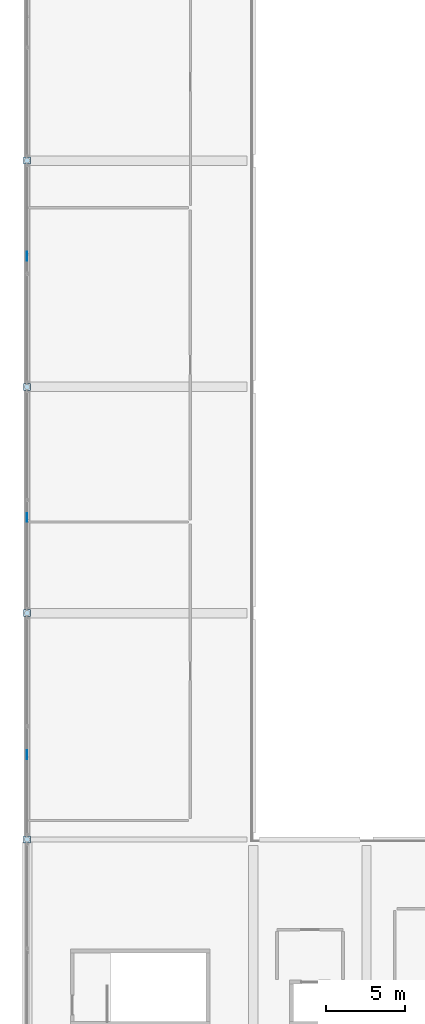
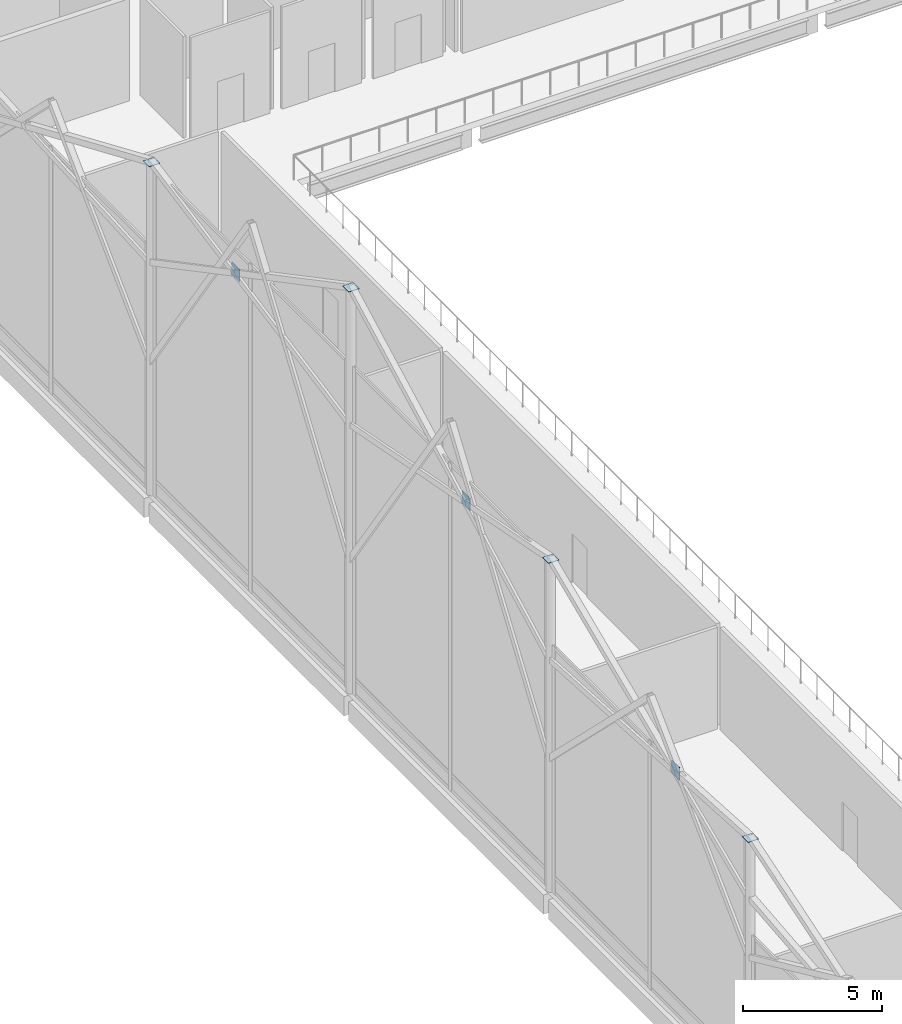
# One storey, part 140 of 220: 7 plates.
"""IFC4 building model written with IfcOpenShell, lengths in metres."""

from ifc_helpers import new_model, si_unit, direction, frame, origin, origin_2d, place, context, subcontext, project, spatial, rectangle, extrude, material, layer, layer_set, type_object, element, save


model = new_model("IFC4")

# Units and contexts
model_context = context("Model", 3, precision=1e-05, world=origin(), true_north=direction((0.0, 1.0)))
body_context = subcontext(model_context, "Body", "Model", "MODEL_VIEW")
ifc_project = project(units=[si_unit("LENGTHUNIT", "METRE"), si_unit("AREAUNIT", "SQUARE_METRE"), si_unit("VOLUMEUNIT", "CUBIC_METRE"), si_unit("PLANEANGLEUNIT", "RADIAN"), si_unit("MASSUNIT", "GRAM", prefix="KILO")], contexts=[model_context])

# Site, building, storey
site_placement = place(None, origin())
site = spatial("IfcSite", under=ifc_project, at=site_placement, CompositionType="ELEMENT")
building_placement = place(site_placement, origin())
building = spatial("IfcBuilding", under=site, at=building_placement, Name="Cendralis Lancet Convention Centre", CompositionType="ELEMENT")
storey_placement = place(building_placement, frame((0.0, 0.0, 5.39990234375)))
storey = spatial("IfcBuildingStorey", under=building, at=storey_placement, Name="L01", CompositionType="ELEMENT", Elevation=5.39990234375)

# Plates
ifc_material = material(Name="Steel S355", Category="steel")
ifc_layer_1 = layer(ifc_material, 0.02001953125, Name="Steel S355")
ifc_layer_set_1 = layer_set([ifc_layer_1], Name="Steel S355")
plate_type_1 = type_object("IfcPlateType", Name="STR-PL-CC20", PredefinedType="USERDEFINED", material=ifc_layer_set_1)
for number, where, z_axis, x_axis, name in (
    (1, (0.0, 64.800048828125, 11.0009765625), (0.0, 0.0, 1.0), (1.0, 0.0, 0.0), "Hollow Column Top Cap Plate L01 #001"),
    (2, (0.0, 79.199951171875, 14.55615234375), (0.0, 0.0, 1.0), (1.0, 0.0, 0.0), "Hollow Column Top Cap Plate L01 #003"),
    (3, (0.0, 93.60009765625, 17.774169921875), (0.0, 0.0, 1.0), (1.0, 0.0, 0.0), "Hollow Column Top Cap Plate L01 #005"),
    (4, (0.0, 108.0, 14.55615234375), (0.0, 0.0, 1.0), (1.0, 0.0, 0.0), "Hollow Column Top Cap Plate L01 #007"),
):
    element("IfcPlate", number, at=place(storey_placement, frame(where, z_axis=z_axis, x_axis=x_axis)), inside=storey, type_object=plate_type_1, Name=name, ObjectType="GUSSET PLATE", PredefinedType="USERDEFINED", context=body_context, shape_type="SweptSolid", body=[
        extrude(rectangle(XDim=0.43994140625, YDim=0.43994140625, at=origin_2d()), origin(), (0.0, 0.0, 1.0), 0.02001953125),
    ])
ifc_layer_2 = layer(ifc_material, 0.028076171875, Name="Steel S355")
ifc_layer_set_2 = layer_set([ifc_layer_2], Name="Steel S355")
plate_type_2 = type_object("IfcPlateType", Name="STR-PL-GP28B", PredefinedType="USERDEFINED", material=ifc_layer_set_2)
for number, where, z_axis, x_axis, name in (
    (5, (0.0, 70.17919921875, 10.454345703125), (0.0, 0.0, 1.0), (0.0, 1.0, 0.0), "Gable X-Brace Crossing Gusset Node Plate GP-28B 0-64"),
    (6, (0.0, 85.287841796875, 13.14501953125), (0.0, 0.0, 1.0), (0.0, 1.0, 0.0), "Gable X-Brace Crossing Gusset Node Plate GP-28B 0-79"),
    (7, (0.0, 101.912109375, 13.14501953125), (0.0, 0.0, 1.0), (0.0, 1.0, 0.0), "Gable X-Brace Crossing Gusset Node Plate GP-28B 0-93"),
):
    element("IfcPlate", number, at=place(storey_placement, frame(where, z_axis=z_axis, x_axis=x_axis)), inside=storey, type_object=plate_type_2, Name=name, ObjectType="GUSSET PLATE", PredefinedType="USERDEFINED", context=body_context, shape_type="SweptSolid", body=[
        extrude(rectangle(XDim=0.56005859375, YDim=0.028076171875, at=origin_2d()), origin(), (0.0, 0.0, 1.0), 0.56005859375),
    ])

save(model, "model.ifc")
